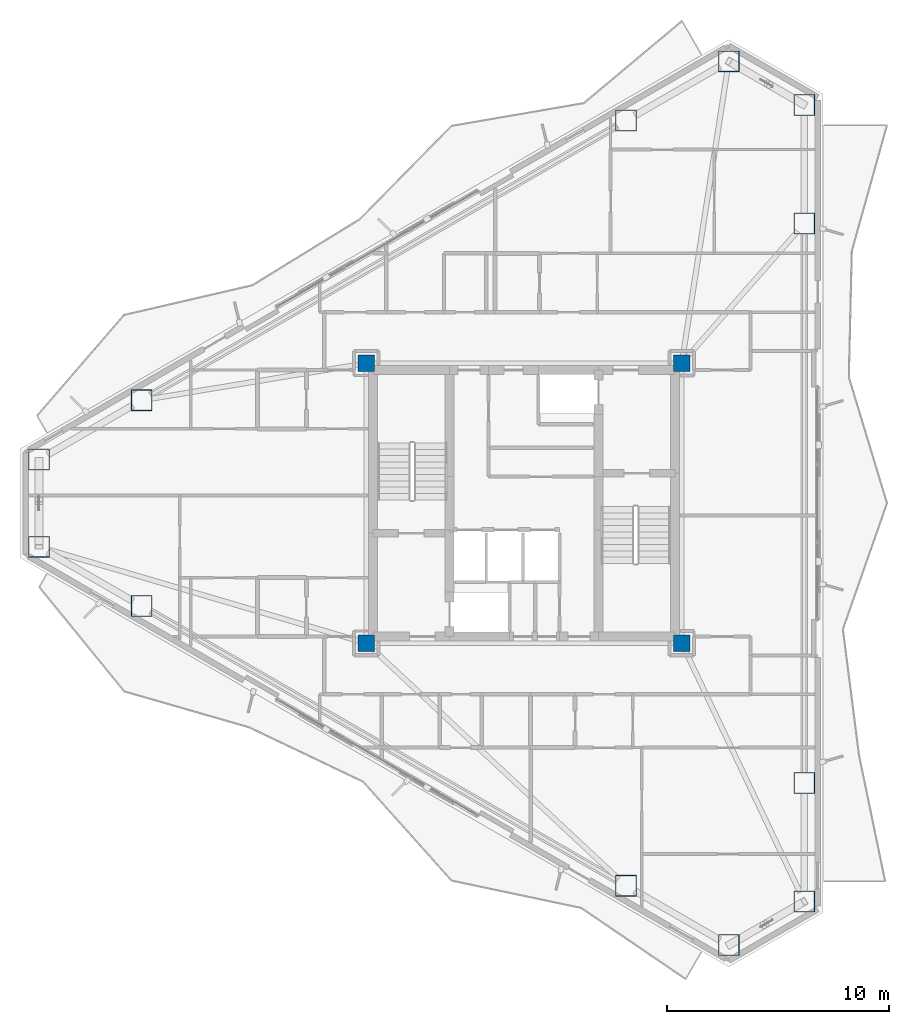
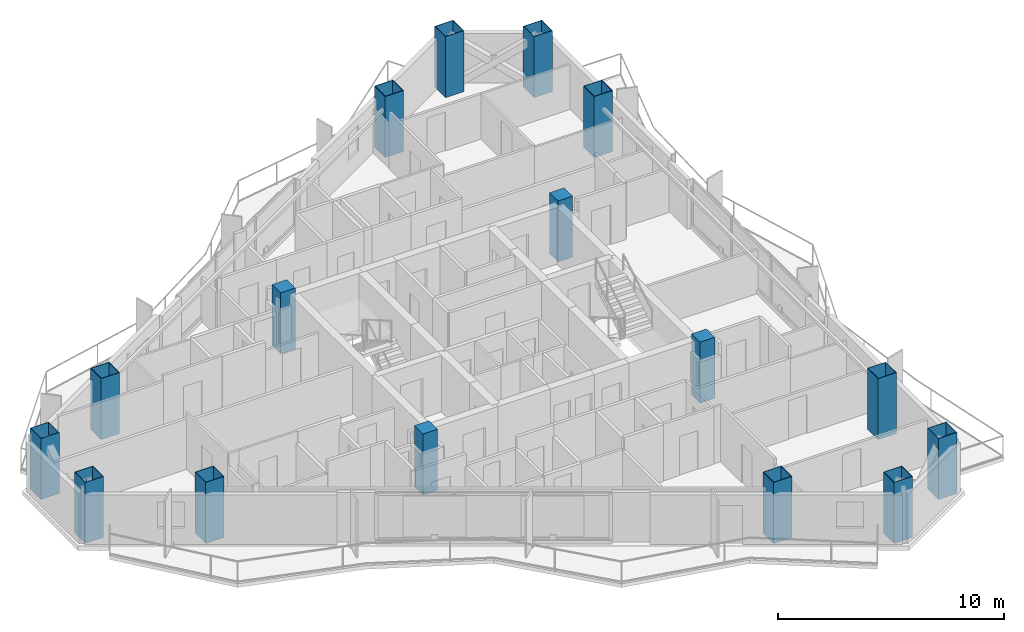
# One storey, part 1 of 19: 16 columns.
"""IFC4 building model written with IfcOpenShell, lengths in metres."""

from ifc_helpers import new_model, si_unit, direction, frame, origin, origin_2d, place, context, subcontext, project, spatial, rectangle, hollow_rectangle, extrude, material, material_profile, profile_set, type_object, element, save


model = new_model("IFC4")

# Units and contexts
model_context = context("Model", 3, precision=1e-05, world=origin(), true_north=direction((0.0, 1.0)))
body_context = subcontext(model_context, "Body", "Model", "MODEL_VIEW")
ifc_project = project(units=[si_unit("LENGTHUNIT", "METRE"), si_unit("AREAUNIT", "SQUARE_METRE"), si_unit("VOLUMEUNIT", "CUBIC_METRE"), si_unit("PLANEANGLEUNIT", "RADIAN"), si_unit("MASSUNIT", "GRAM", prefix="KILO")], contexts=[model_context])

# Site, building, storey
site_placement = place(None, origin())
site = spatial("IfcSite", under=ifc_project, at=site_placement, CompositionType="ELEMENT")
building_placement = place(site_placement, origin())
building = spatial("IfcBuilding", under=site, at=building_placement, Name="Mersakhor Tower and Convention Hall", CompositionType="ELEMENT")
storey_placement = place(building_placement, frame((0.0, 0.0, 141.0)))
storey = spatial("IfcBuildingStorey", under=building, at=storey_placement, Name="L39", CompositionType="ELEMENT", Elevation=141.0)

# Columns
ifc_material_1 = material(Name="Concrete C60/75 in S460M steel box", Category="concrete")
ifc_material_profile_1 = material_profile(ifc_material_1, hollow_rectangle(XDim=0.949951171875, YDim=0.949951171875, WallThickness=0.028076171875, at=origin_2d()), Name="SHS 950x950x28")
ifc_profile_set_1 = profile_set([ifc_material_profile_1], Name="Concrete C60/75 in S460M steel box")
column_type_1 = type_object("IfcColumnType", Name="COL-CFT-950", PredefinedType="COLUMN", material=ifc_profile_set_1)
for number, where, z_axis, x_axis, name in (
    (1, (7.160400390625, 28.71240234375, 0.0), (0.0, 0.0, 1.0), (1.0, 0.0, 0.0), "L39 Perimeter Mega-Column MC-01"),
    (2, (11.788330078125, 31.38427734375, 0.0), (0.0, 0.0, 1.0), (1.0, 0.0, 0.0), "L39 Perimeter Mega-Column MC-02"),
    (3, (33.592529296875, 43.972900390625, 0.0), (0.0, 0.0, 1.0), (1.0, 0.0, 0.0), "L39 Perimeter Mega-Column MC-03"),
    (4, (38.220458984375, 46.644775390625, 0.0), (0.0, 0.0, 1.0), (1.0, 0.0, 0.0), "L39 Perimeter Mega-Column MC-04"),
    (5, (41.619140625, 44.6826171875, 0.0), (0.0, 0.0, 1.0), (1.0, 0.0, 0.0), "L39 Perimeter Mega-Column MC-05"),
    (6, (41.619140625, 39.338623046875, 0.0), (0.0, 0.0, 1.0), (1.0, 0.0, 0.0), "L39 Perimeter Mega-Column MC-06"),
    (7, (41.619140625, 14.161376953125, 0.0), (0.0, 0.0, 1.0), (1.0, 0.0, 0.0), "L39 Perimeter Mega-Column MC-07"),
    (8, (41.619140625, 8.8173828125, 0.0), (0.0, 0.0, 1.0), (1.0, 0.0, 0.0), "L39 Perimeter Mega-Column MC-08"),
    (9, (38.220458984375, 6.855224609375, 0.0), (0.0, 0.0, 1.0), (1.0, 0.0, 0.0), "L39 Perimeter Mega-Column MC-09"),
    (10, (33.592529296875, 9.527099609375, 0.0), (0.0, 0.0, 1.0), (1.0, 0.0, 0.0), "L39 Perimeter Mega-Column MC-10"),
    (11, (11.788330078125, 22.11572265625, 0.0), (0.0, 0.0, 1.0), (1.0, 0.0, 0.0), "L39 Perimeter Mega-Column MC-11"),
    (12, (7.160400390625, 24.78759765625, 0.0), (0.0, 0.0, 1.0), (1.0, 0.0, 0.0), "L39 Perimeter Mega-Column MC-12"),
):
    element("IfcColumn", number, at=place(storey_placement, frame(where, z_axis=z_axis, x_axis=x_axis)), inside=storey, type_object=column_type_1, Name=name, PredefinedType="COLUMN", context=body_context, shape_type="SweptSolid", body=[
        extrude(hollow_rectangle(XDim=0.949951171875, YDim=0.949951171875, WallThickness=0.028076171875, at=origin_2d()), origin(), (0.0, 0.0, 1.0), 3.300048828125),
    ])
ifc_material_2 = material(Name="Concrete C50/60", Category="concrete")
ifc_material_profile_2 = material_profile(ifc_material_2, rectangle(XDim=0.75, YDim=0.75, at=origin_2d()), Name="RC 750x750")
ifc_profile_set_2 = profile_set([ifc_material_profile_2], Name="Concrete C50/60")
column_type_2 = type_object("IfcColumnType", Name="COL-RC-750", PredefinedType="COLUMN", material=ifc_profile_set_2)
for number, where, z_axis, x_axis, name in (
    (13, (21.89990234375, 20.449951171875, 0.0), (0.0, 0.0, 1.0), (1.0, 0.0, 0.0), "L39 Core Corner Column CC-1"),
    (14, (21.89990234375, 33.050048828125, 0.0), (0.0, 0.0, 1.0), (1.0, 0.0, 0.0), "L39 Core Corner Column CC-2"),
    (15, (36.10009765625, 33.050048828125, 0.0), (0.0, 0.0, 1.0), (1.0, 0.0, 0.0), "L39 Core Corner Column CC-3"),
    (16, (36.10009765625, 20.449951171875, 0.0), (0.0, 0.0, 1.0), (1.0, 0.0, 0.0), "L39 Core Corner Column CC-4"),
):
    element("IfcColumn", number, at=place(storey_placement, frame(where, z_axis=z_axis, x_axis=x_axis)), inside=storey, type_object=column_type_2, Name=name, PredefinedType="COLUMN", context=body_context, shape_type="SweptSolid", body=[
        extrude(rectangle(XDim=0.75, YDim=0.75, at=origin_2d()), origin(), (0.0, 0.0, 1.0), 3.300048828125),
    ])

save(model, "model.ifc")
